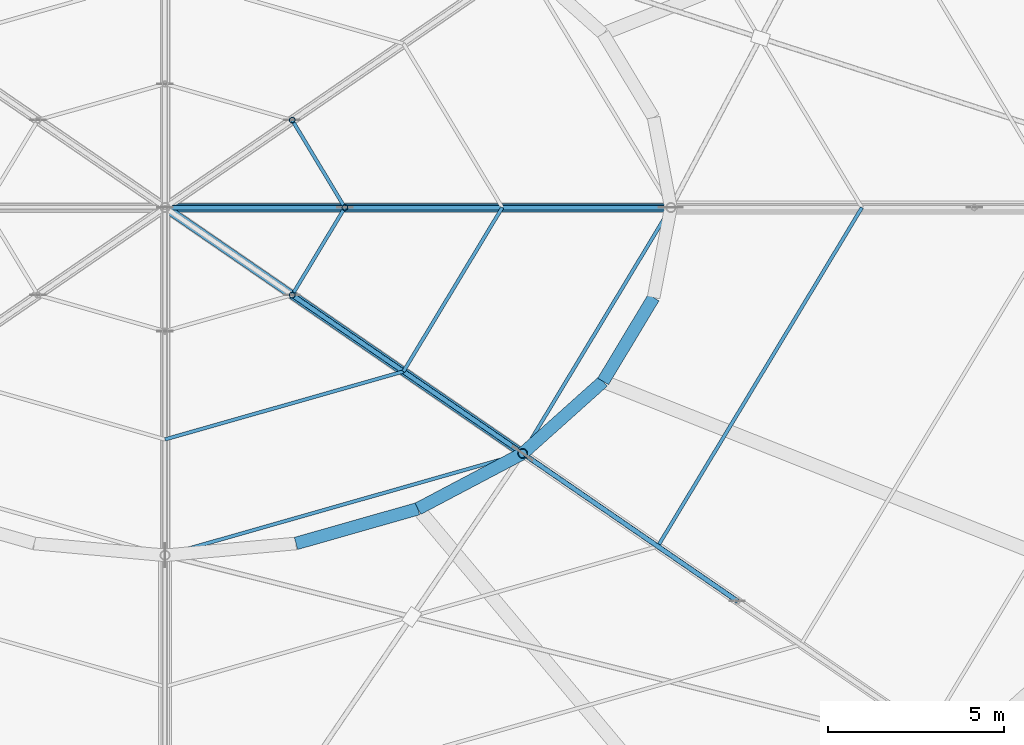
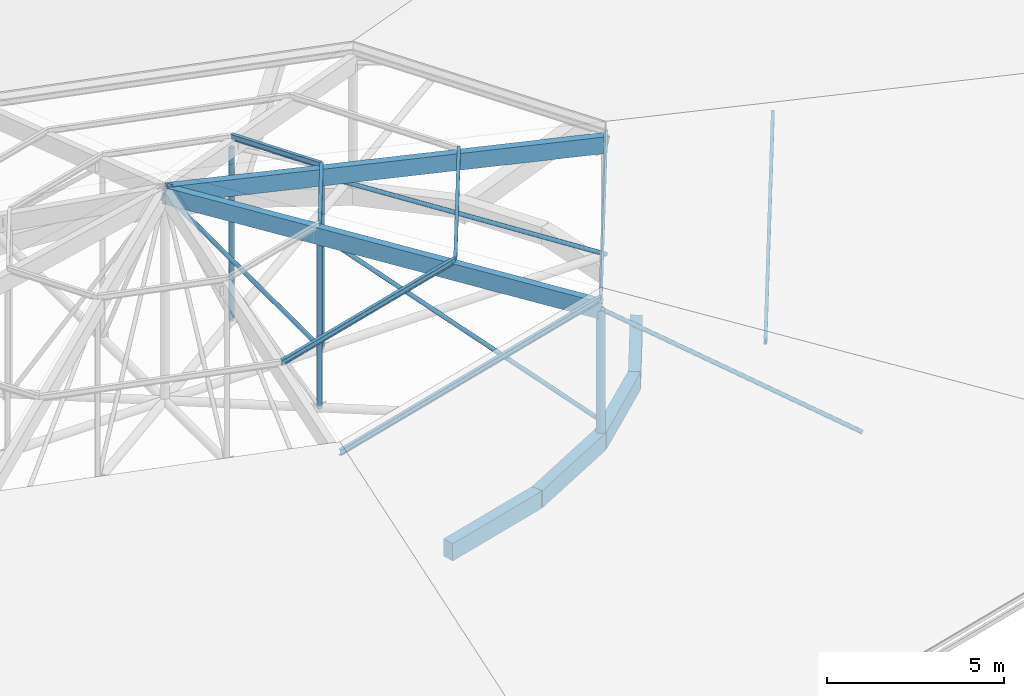
# One storey, part 28 of 66: 17 members, 4 beams.
"""IFC4 building model written with IfcOpenShell, lengths in metres."""

from ifc_helpers import new_model, si_unit, direction, frame, origin, origin_2d, place, context, subcontext, project, spatial, rectangle, hollow_circle, i_section, extrude, material, material_profile, profile_set, type_object, element, save


model = new_model("IFC4")

# Units and contexts
model_context = context("Model", 3, precision=1e-05, world=origin(), true_north=direction((0.0, 1.0)))
body_context = subcontext(model_context, "Body", "Model", "MODEL_VIEW")
ifc_project = project(units=[si_unit("LENGTHUNIT", "METRE"), si_unit("AREAUNIT", "SQUARE_METRE"), si_unit("VOLUMEUNIT", "CUBIC_METRE"), si_unit("PLANEANGLEUNIT", "RADIAN"), si_unit("MASSUNIT", "GRAM", prefix="KILO")], contexts=[model_context])

# Site, building, storey
site_placement = place(None, origin())
site = spatial("IfcSite", under=ifc_project, at=site_placement, CompositionType="ELEMENT")
building_placement = place(site_placement, origin())
building = spatial("IfcBuilding", under=site, at=building_placement, Name="Zornivar Specialist Clinic", CompositionType="ELEMENT")
storey_placement = place(building_placement, frame((0.0, 0.0, 16.0)))
storey = spatial("IfcBuildingStorey", under=building, at=storey_placement, Name="L04", CompositionType="ELEMENT", Elevation=16.0)

# Beams
ifc_material_1 = material(Name="Concrete C30/37", Category="concrete")
ifc_material_profile_1 = material_profile(ifc_material_1, rectangle(XDim=0.360107421875, YDim=0.60009765625, at=origin_2d()), Name="RC 360x600")
ifc_profile_set_1 = profile_set([ifc_material_profile_1], Name="Concrete C30/37")
beam_type = type_object("IfcBeamType", Name="BM-RC-360x600", PredefinedType="BEAM", material=ifc_profile_set_1)
beam_1_placement = place(storey_placement, frame((97.326904296875, 48.037109375, -0.300048828125), z_axis=(0.961783741221, 0.273810217345, 0.0), x_axis=(-0.273810217345, 0.961783741221, 0.0)))
element("IfcBeam", 1, at=beam_1_placement, inside=storey, type_object=beam_type, Name="bm:V1:L04:inring:19", PredefinedType="BEAM", context=body_context, shape_type="SweptSolid", body=[
    extrude(rectangle(XDim=0.360107421875, YDim=0.60009765625, at=origin_2d()), origin(), (0.0, 0.0, 1.0), 3.611083984375),
])
beam_2_placement = place(storey_placement, frame((100.800048828125, 49.02587890625, -0.300048828125), z_axis=(0.884333274309, 0.466856144813, 0.0), x_axis=(-0.466856144813, 0.884333274309, 0.0)))
element("IfcBeam", 2, at=beam_2_placement, inside=storey, type_object=beam_type, Name="bm:V1:L04:inring:20", PredefinedType="BEAM", context=body_context, shape_type="SweptSolid", body=[
    extrude(rectangle(XDim=0.360107421875, YDim=0.60009765625, at=origin_2d()), origin(), (0.0, 0.0, 1.0), 3.3720703125),
])
beam_3_placement = place(storey_placement, frame((103.781982421875, 50.60009765625, -0.300048828125), z_axis=(0.744966948512, 0.667101375822, 0.0), x_axis=(-0.667101375822, 0.744966948512, 0.0)))
element("IfcBeam", 3, at=beam_3_placement, inside=storey, type_object=beam_type, Name="bm:V1:L04:inring:21", PredefinedType="BEAM", context=body_context, shape_type="SweptSolid", body=[
    extrude(rectangle(XDim=0.360107421875, YDim=0.60009765625, at=origin_2d()), origin(), (0.0, 0.0, 1.0), 3.07275390625),
])
beam_4_placement = place(storey_placement, frame((106.071044921875, 52.64990234375, -0.300048828125), z_axis=(0.515834556349, 0.856688222445, 0.0), x_axis=(-0.856688222445, 0.515834556349, 0.0)))
element("IfcBeam", 4, at=beam_4_placement, inside=storey, type_object=beam_type, Name="bm:V1:L04:inring:22", PredefinedType="BEAM", context=body_context, shape_type="SweptSolid", body=[
    extrude(rectangle(XDim=0.360107421875, YDim=0.60009765625, at=origin_2d()), origin(), (0.0, 0.0, 1.0), 2.78759765625),
])

# Members
ifc_material_2 = material(Name="Steel S355J2", Category="steel")
ifc_material_profile_2 = material_profile(ifc_material_2, hollow_circle(Radius=0.136474609375, WallThickness=0.012451171875, at=origin_2d()), Name="CHS 273x12.5")
ifc_profile_set_2 = profile_set([ifc_material_profile_2], Name="Steel S355J2")
member_type_1 = type_object("IfcMemberType", Name="MEM-CHORD-CHS273", PredefinedType="CHORD", material=ifc_profile_set_2)
member_1_placement = place(storey_placement, frame((103.781982421875, 50.60009765625, -0.080078125), z_axis=(0.0, 0.0, 1.0), x_axis=(1.0, 0.0, 0.0)))
element("IfcMember", 5, at=member_1_placement, inside=storey, type_object=member_type_1, Name="mem:V1:L04:post:in:7", PredefinedType="CHORD", context=body_context, shape_type="SweptSolid", body=[
    extrude(hollow_circle(Radius=0.136474609375, WallThickness=0.012451171875, at=origin_2d()), origin(), (0.0, 0.0, 1.0), 4.2841796875),
])
ifc_material_3 = material(Name="Steel S355J2", Category="steel")
ifc_material_profile_3 = material_profile(ifc_material_3, hollow_circle(Radius=0.06982421875, WallThickness=0.008056640625, at=origin_2d()), Name="CHS 139.7x8")
ifc_profile_set_3 = profile_set([ifc_material_profile_3], Name="Steel S355J2")
member_type_2 = type_object("IfcMemberType", Name="MEM-DIAG-CHS140", PredefinedType="BRACE", material=ifc_profile_set_3)
member_2_placement = place(storey_placement, frame((108.0, 57.60009765625, 0.360107421875), z_axis=(-0.841134614614, 0.0, 0.540825813085), x_axis=(0.0, -1.0, 0.0)))
element("IfcMember", 6, at=member_2_placement, inside=storey, type_object=member_type_2, Name="mem:V1:L04:diag3:0", PredefinedType="BRACE", context=body_context, shape_type="SweptSolid", body=[
    extrude(hollow_circle(Radius=0.06982421875, WallThickness=0.008056640625, at=origin_2d()), origin(), (0.0, 0.0, 1.0), 11.03271484375),
])
member_3_placement = place(storey_placement, frame((98.719970703125, 57.60009765625, 0.360107421875), z_axis=(-0.582793395583, 0.0, 0.812620365278), x_axis=(0.0, -1.0, 0.0)))
element("IfcMember", 7, at=member_3_placement, inside=storey, type_object=member_type_2, Name="mem:V1:L04:diag4:0", PredefinedType="BRACE", context=body_context, shape_type="SweptSolid", body=[
    extrude(hollow_circle(Radius=0.06982421875, WallThickness=0.008056640625, at=origin_2d()), origin(), (0.0, 0.0, 1.0), 8.78515625),
])
member_4_placement = place(storey_placement, frame((109.89111328125, 46.39990234375, 0.360107421875), z_axis=(-0.731543724189, 0.502956409341, 0.460302758956), x_axis=(-0.566544196392, -0.824031354703, 0.0)))
element("IfcMember", 8, at=member_4_placement, inside=storey, type_object=member_type_2, Name="mem:V1:L04:diag2:7", PredefinedType="BRACE", context=body_context, shape_type="SweptSolid", body=[
    extrude(hollow_circle(Radius=0.06982421875, WallThickness=0.008056640625, at=origin_2d()), origin(), (0.0, 0.0, 1.0), 8.35107421875),
])
member_5_placement = place(storey_placement, frame((103.781982421875, 50.60009765625, 0.360107421875), z_axis=(-0.659468156626, 0.453344487312, 0.59965033663), x_axis=(-0.566494991272, -0.824065182412, 0.0)))
element("IfcMember", 9, at=member_5_placement, inside=storey, type_object=member_type_2, Name="mem:V1:L04:diag3:7", PredefinedType="BRACE", context=body_context, shape_type="SweptSolid", body=[
    extrude(hollow_circle(Radius=0.06982421875, WallThickness=0.008056640625, at=origin_2d()), origin(), (0.0, 0.0, 1.0), 9.950439453125),
])
ifc_material_4 = material(Name="Steel S355J2", Category="steel")
ifc_material_profile_4 = material_profile(ifc_material_4, i_section(OverallWidth=0.10009765625, OverallDepth=0.199951171875, WebThickness=0.005615234375, FlangeThickness=0.008544921875, FilletRadius=0.011962890625, at=origin_2d()), Name="IPE 200")
ifc_profile_set_4 = profile_set([ifc_material_profile_4], Name="Steel S355J2")
member_type_3 = type_object("IfcMemberType", Name="MEM-PURLIN-IPE200", PredefinedType="PURLIN", material=ifc_profile_set_4)
member_6_placement = place(storey_placement, frame((98.719970703125, 57.60009765625, 6.69189453125), z_axis=(-0.516162644612, 0.856490586234, 0.0), x_axis=(-0.856490586234, -0.516162644612, 0.0)))
element("IfcMember", 10, at=member_6_placement, inside=storey, type_object=member_type_3, Name="mem:V1:L04:purl:0:06", PredefinedType="PURLIN", context=body_context, shape_type="SweptSolid", body=[
    extrude(i_section(OverallWidth=0.10009765625, OverallDepth=0.199951171875, WebThickness=0.005615234375, FlangeThickness=0.008544921875, FilletRadius=0.011962890625, at=origin_2d()), origin(), (0.0, 0.0, 1.0), 2.906005859375),
])
member_7_placement = place(storey_placement, frame((93.60009765625, 47.699951171875, 4.569091796875), z_axis=(0.961747274487, 0.273938277752, 0.0), x_axis=(-0.273938277752, 0.961747274487, 0.0)))
element("IfcMember", 11, at=member_7_placement, inside=storey, type_object=member_type_3, Name="mem:V1:L04:purl:6:04", PredefinedType="PURLIN", context=body_context, shape_type="SweptSolid", body=[
    extrude(i_section(OverallWidth=0.10009765625, OverallDepth=0.199951171875, WebThickness=0.005615234375, FlangeThickness=0.008544921875, FilletRadius=0.011962890625, at=origin_2d()), origin(), (0.0, 0.0, 1.0), 10.5869140625),
])
member_8_placement = place(storey_placement, frame((93.60009765625, 51.0, 5.6669921875), z_axis=(0.961758559801, 0.273898653976, 0.0), x_axis=(-0.273898653976, 0.961758559801, 0.0)))
element("IfcMember", 12, at=member_8_placement, inside=storey, type_object=member_type_3, Name="mem:V1:L04:purl:6:05", PredefinedType="PURLIN", context=body_context, shape_type="SweptSolid", body=[
    extrude(i_section(OverallWidth=0.10009765625, OverallDepth=0.199951171875, WebThickness=0.005615234375, FlangeThickness=0.008544921875, FilletRadius=0.011962890625, at=origin_2d()), origin(), (0.0, 0.0, 1.0), 7.057861328125),
])
member_9_placement = place(storey_placement, frame((107.62890625, 47.955078125, 3.323974609375), z_axis=(0.516063616444, 0.856550257593, 0.0), x_axis=(-0.856550257593, 0.516063616444, 0.0)))
element("IfcMember", 13, at=member_9_placement, inside=storey, type_object=member_type_3, Name="mem:V1:L04:purl:7:03", PredefinedType="PURLIN", context=body_context, shape_type="SweptSolid", body=[
    extrude(i_section(OverallWidth=0.10009765625, OverallDepth=0.199951171875, WebThickness=0.005615234375, FlangeThickness=0.008544921875, FilletRadius=0.011962890625, at=origin_2d()), origin(), (0.0, 0.0, 1.0), 11.26025390625),
])
member_10_placement = place(storey_placement, frame((103.781982421875, 50.60009765625, 4.569091796875), z_axis=(0.516115885834, 0.856518763595, 0.0), x_axis=(-0.856518763595, 0.516115885834, 0.0)))
element("IfcMember", 14, at=member_10_placement, inside=storey, type_object=member_type_3, Name="mem:V1:L04:purl:7:04", PredefinedType="PURLIN", context=body_context, shape_type="SweptSolid", body=[
    extrude(i_section(OverallWidth=0.10009765625, OverallDepth=0.199951171875, WebThickness=0.005615234375, FlangeThickness=0.008544921875, FilletRadius=0.011962890625, at=origin_2d()), origin(), (0.0, 0.0, 1.0), 8.172607421875),
])
member_11_placement = place(storey_placement, frame((100.387939453125, 52.93310546875, 5.6669921875), z_axis=(0.516089475444, 0.856534677252, 0.0), x_axis=(-0.856534677252, 0.516089475444, 0.0)))
element("IfcMember", 15, at=member_11_placement, inside=storey, type_object=member_type_3, Name="mem:V1:L04:purl:7:05", PredefinedType="PURLIN", context=body_context, shape_type="SweptSolid", body=[
    extrude(i_section(OverallWidth=0.10009765625, OverallDepth=0.199951171875, WebThickness=0.005615234375, FlangeThickness=0.008544921875, FilletRadius=0.011962890625, at=origin_2d()), origin(), (0.0, 0.0, 1.0), 5.44873046875),
])
member_12_placement = place(storey_placement, frame((97.219970703125, 55.111083984375, 6.69189453125), z_axis=(0.516162644612, 0.856490586234, 0.0), x_axis=(-0.856490586234, 0.516162644612, 0.0)))
element("IfcMember", 16, at=member_12_placement, inside=storey, type_object=member_type_3, Name="mem:V1:L04:purl:7:06", PredefinedType="PURLIN", context=body_context, shape_type="SweptSolid", body=[
    extrude(i_section(OverallWidth=0.10009765625, OverallDepth=0.199951171875, WebThickness=0.005615234375, FlangeThickness=0.008544921875, FilletRadius=0.011962890625, at=origin_2d()), origin(), (0.0, 0.0, 1.0), 2.906005859375),
])
ifc_material_5 = material(Name="Glulam GL28h", Category="wood")
ifc_material_profile_5 = material_profile(ifc_material_5, rectangle(XDim=0.239990234375, YDim=0.56005859375, at=origin_2d()), Name="GL28h 240x560")
ifc_profile_set_5 = profile_set([ifc_material_profile_5], Name="Glulam GL28h")
member_type_4 = type_object("IfcMemberType", Name="MEM-RAFTER-GL560", PredefinedType="RAFTER", material=ifc_profile_set_5)
member_13_placement = place(storey_placement, frame((108.0, 57.60009765625, 4.2041015625), z_axis=(-0.974806783178, 0.0, 0.223050970563), x_axis=(0.0, -1.0, 0.0)))
element("IfcMember", 17, at=member_13_placement, inside=storey, type_object=member_type_4, Name="mem:V1:L04:raf2:0", PredefinedType="RAFTER", context=body_context, shape_type="SweptSolid", body=[
    extrude(rectangle(XDim=0.239990234375, YDim=0.56005859375, at=origin_2d()), origin(), (0.0, 0.0, 1.0), 14.77197265625),
])
member_14_placement = place(storey_placement, frame((103.781982421875, 50.60009765625, 4.2041015625), z_axis=(-0.796219961003, 0.547397643493, 0.25766178141), x_axis=(-0.566526307166, -0.824043653752, 0.0)))
element("IfcMember", 18, at=member_14_placement, inside=storey, type_object=member_type_4, Name="mem:V1:L04:raf2:7", PredefinedType="RAFTER", context=body_context, shape_type="SweptSolid", body=[
    extrude(rectangle(XDim=0.239990234375, YDim=0.56005859375, at=origin_2d()), origin(), (0.0, 0.0, 1.0), 12.787841796875),
])
ifc_material_6 = material(Name="Steel S355J2", Category="steel")
ifc_material_profile_6 = material_profile(ifc_material_6, hollow_circle(Radius=0.084228515625, WallThickness=0.010009765625, at=origin_2d()), Name="CHS 168.3x10")
ifc_profile_set_6 = profile_set([ifc_material_profile_6], Name="Steel S355J2")
member_type_5 = type_object("IfcMemberType", Name="MEM-STRUT-CHS168", PredefinedType="STRUT", material=ifc_profile_set_6)
for number, where, z_axis, x_axis, name in (
    (19, (98.719970703125, 57.60009765625, 0.360107421875), (0.0, 0.0, 1.0), (1.0, 0.0, 0.0), "mem:V1:L04:vert2:0"),
    (20, (97.219970703125, 60.089111328125, 0.360107421875), (0.0, 0.0, 1.0), (1.0, 0.0, 0.0), "mem:V1:L04:vert2:1"),
    (21, (97.219970703125, 55.111083984375, 0.360107421875), (0.0, 0.0, 1.0), (1.0, 0.0, 0.0), "mem:V1:L04:vert2:7"),
):
    element("IfcMember", number, at=place(storey_placement, frame(where, z_axis=z_axis, x_axis=x_axis)), inside=storey, type_object=member_type_5, Name=name, PredefinedType="STRUT", context=body_context, shape_type="SweptSolid", body=[
        extrude(hollow_circle(Radius=0.084228515625, WallThickness=0.010009765625, at=origin_2d()), origin(), (0.0, 0.0, 1.0), 5.966796875),
    ])

save(model, "model.ifc")
